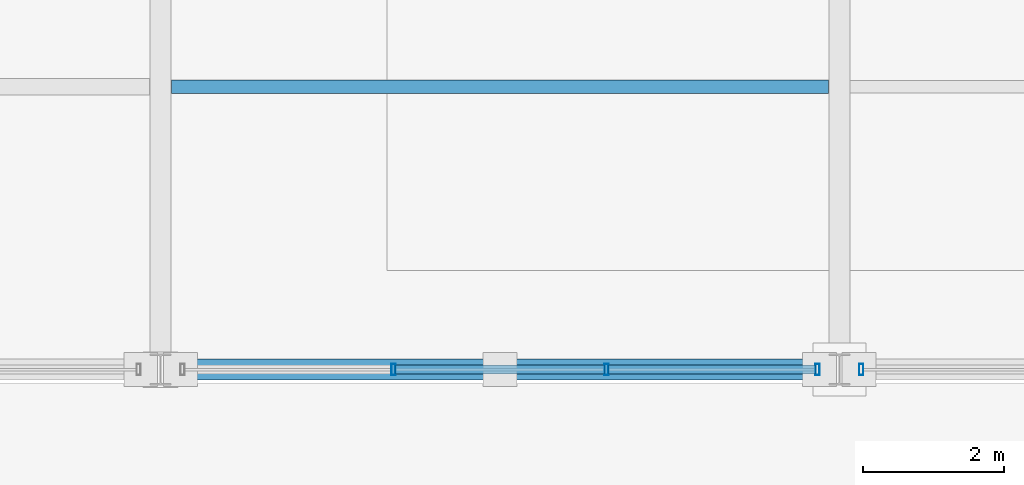
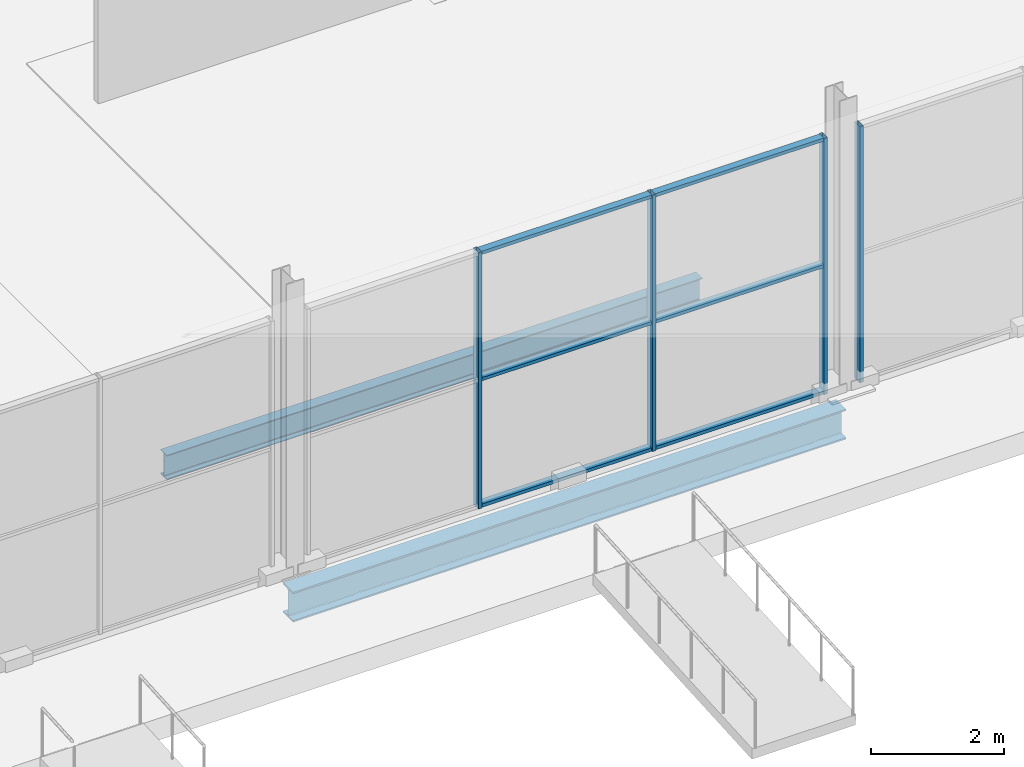
# One storey, part 35 of 196: 10 members, 2 beams, 2 elements without a shape of their own.
"""IFC4 building model written with IfcOpenShell, lengths in metres."""

from ifc_helpers import new_model, si_unit, direction, frame, origin, origin_2d, place, context, subcontext, project, spatial, hollow_rectangle, i_section, extrude, material, material_profile, profile_set, type_object, element, aggregate, save


model = new_model("IFC4")

# Units and contexts
model_context = context("Model", 3, precision=1e-05, world=origin(), true_north=direction((0.0, 1.0)))
body_context = subcontext(model_context, "Body", "Model", "MODEL_VIEW")
ifc_project = project(units=[si_unit("LENGTHUNIT", "METRE"), si_unit("AREAUNIT", "SQUARE_METRE"), si_unit("VOLUMEUNIT", "CUBIC_METRE"), si_unit("PLANEANGLEUNIT", "RADIAN"), si_unit("MASSUNIT", "GRAM", prefix="KILO")], contexts=[model_context])

# Site, building, storey
site_placement = place(None, origin())
site = spatial("IfcSite", under=ifc_project, at=site_placement, CompositionType="ELEMENT")
building_placement = place(site_placement, origin())
building = spatial("IfcBuilding", under=site, at=building_placement, Name="Merenkruunu Market Hall", CompositionType="ELEMENT")
storey_placement = place(building_placement, origin())
storey = spatial("IfcBuildingStorey", under=building, at=storey_placement, Name="L00", CompositionType="ELEMENT", Elevation=0.0)

# Curtain wall, members
ifc_material_1 = material(Name="Powder-coated aluminium", Category="aluminium")
curtain_wall_type_1 = type_object("IfcCurtainWallType", Name="Glazed Curtain Wall CW01", PredefinedType="USERDEFINED", material=ifc_material_1)
curtain_wall_1_placement = place(storey_placement, origin())
curtain_wall_1 = element("IfcCurtainWall", 1, at=curtain_wall_1_placement, inside=storey, type_object=curtain_wall_type_1, Name="CW-L00-CWM01-028", ObjectType="GLAZED_FACADE", PredefinedType="USERDEFINED")
ifc_material_profile_1 = material_profile(ifc_material_1, hollow_rectangle(XDim=0.06005859375, YDim=0.159912109375, WallThickness=0.00390625, at=origin_2d()), Name="ALU 60x160x4")
ifc_profile_set_1 = profile_set([ifc_material_profile_1], Name="Powder-coated aluminium")
member_type_1 = type_object("IfcMemberType", Name="Curtain Wall Mullion CWM01", PredefinedType="MULLION", material=ifc_profile_set_1)
member_1_placement = place(storey_placement, frame((38.090087890625, 15.60009765625, 0.0), z_axis=(0.0, 0.0, 1.0), x_axis=(-1.0, 0.0, 0.0)))
member_1 = element("IfcMember", 2, at=member_1_placement, type_object=member_type_1, Name="CW01 mullion 1", PredefinedType="MULLION", context=body_context, shape_type="SweptSolid", body=[
    extrude(hollow_rectangle(XDim=0.06005859375, YDim=0.159912109375, WallThickness=0.00390625, at=origin_2d()), origin(), (0.0, 0.0, 1.0), 4.699951171875),
])
member_2_placement = place(storey_placement, frame((35.106689453125, 15.60009765625, 0.0), z_axis=(0.0, 0.0, 1.0), x_axis=(-1.0, 0.0, 0.0)))
member_2 = element("IfcMember", 3, at=member_2_placement, type_object=member_type_1, Name="CW01 mullion 2", PredefinedType="MULLION", context=body_context, shape_type="SweptSolid", body=[
    extrude(hollow_rectangle(XDim=0.06005859375, YDim=0.159912109375, WallThickness=0.00390625, at=origin_2d()), origin(), (0.0, 0.0, 1.0), 4.699951171875),
])
member_3_placement = place(storey_placement, frame((32.09326171875, 15.60009765625, 0.0), z_axis=(0.0, 0.0, 1.0), x_axis=(-1.0, 0.0, 0.0)))
member_3 = element("IfcMember", 4, at=member_3_placement, type_object=member_type_1, Name="CW01 mullion 3", PredefinedType="MULLION", context=body_context, shape_type="SweptSolid", body=[
    extrude(hollow_rectangle(XDim=0.06005859375, YDim=0.159912109375, WallThickness=0.00390625, at=origin_2d()), origin(), (0.0, 0.0, 1.0), 4.699951171875),
])

# Curtain wall, member
curtain_wall_type_2 = type_object("IfcCurtainWallType", Name="Glazed Curtain Wall CW06", PredefinedType="USERDEFINED", material=ifc_material_1)
curtain_wall_2_placement = place(storey_placement, origin())
curtain_wall_2 = element("IfcCurtainWall", 5, at=curtain_wall_2_placement, inside=storey, type_object=curtain_wall_type_2, Name="CW-L00-CWM01-031", ObjectType="GLAZED_FACADE", PredefinedType="USERDEFINED")
member_4_placement = place(storey_placement, frame((38.7099609375, 15.60009765625, 0.0), z_axis=(0.0, 0.0, 1.0), x_axis=(-1.0, 0.0, 0.0)))
member_4 = element("IfcMember", 6, at=member_4_placement, type_object=member_type_1, Name="CW06 mullion 3", PredefinedType="MULLION", context=body_context, shape_type="SweptSolid", body=[
    extrude(hollow_rectangle(XDim=0.06005859375, YDim=0.159912109375, WallThickness=0.00390625, at=origin_2d()), origin(), (0.0, 0.0, 1.0), 4.699951171875),
])
aggregate(curtain_wall_2, [member_4])

# Member
ifc_material_profile_2 = material_profile(ifc_material_1, hollow_rectangle(XDim=0.06005859375, YDim=0.125, WallThickness=0.00390625, at=origin_2d()), Name="ALU 60x125x4")
ifc_profile_set_2 = profile_set([ifc_material_profile_2], Name="Powder-coated aluminium")
member_type_2 = type_object("IfcMemberType", Name="Curtain Wall Transom CWT01", PredefinedType="USERDEFINED", material=ifc_profile_set_2)
member_5_placement = place(storey_placement, frame((38.06005859375, 15.60009765625, 0.030029296875), z_axis=(-1.0, 0.0, 0.0), x_axis=(0.0, 0.0, 1.0)))
member_5 = element("IfcMember", 7, at=member_5_placement, type_object=member_type_2, Name="CW01 transom 1.1", ObjectType="TRANSOM", PredefinedType="USERDEFINED", context=body_context, shape_type="SweptSolid", body=[
    extrude(hollow_rectangle(XDim=0.06005859375, YDim=0.125, WallThickness=0.00390625, at=origin_2d()), origin(), (0.0, 0.0, 1.0), 2.92333984375),
])

member_6_placement = place(storey_placement, frame((38.06005859375, 15.60009765625, 2.35009765625), z_axis=(-1.0, 0.0, 0.0), x_axis=(0.0, 0.0, 1.0)))
member_6 = element("IfcMember", 8, at=member_6_placement, type_object=member_type_2, Name="CW01 transom 1.2", ObjectType="TRANSOM", PredefinedType="USERDEFINED", context=body_context, shape_type="SweptSolid", body=[
    extrude(hollow_rectangle(XDim=0.06005859375, YDim=0.125, WallThickness=0.00390625, at=origin_2d()), origin(), (0.0, 0.0, 1.0), 2.92333984375),
])

member_7_placement = place(storey_placement, frame((38.06005859375, 15.60009765625, 4.669921875), z_axis=(-1.0, 0.0, 0.0), x_axis=(0.0, 0.0, 1.0)))
member_7 = element("IfcMember", 9, at=member_7_placement, type_object=member_type_2, Name="CW01 transom 1.3", ObjectType="TRANSOM", PredefinedType="USERDEFINED", context=body_context, shape_type="SweptSolid", body=[
    extrude(hollow_rectangle(XDim=0.06005859375, YDim=0.125, WallThickness=0.00390625, at=origin_2d()), origin(), (0.0, 0.0, 1.0), 2.92333984375),
])

member_8_placement = place(storey_placement, frame((35.07666015625, 15.60009765625, 0.030029296875), z_axis=(-1.0, 0.0, 0.0), x_axis=(0.0, 0.0, 1.0)))
member_8 = element("IfcMember", 10, at=member_8_placement, type_object=member_type_2, Name="CW01 transom 2.1", ObjectType="TRANSOM", PredefinedType="USERDEFINED", context=body_context, shape_type="SweptSolid", body=[
    extrude(hollow_rectangle(XDim=0.06005859375, YDim=0.125, WallThickness=0.00390625, at=origin_2d()), origin(), (0.0, 0.0, 1.0), 2.953369140625),
])

member_9_placement = place(storey_placement, frame((35.07666015625, 15.60009765625, 2.35009765625), z_axis=(-1.0, 0.0, 0.0), x_axis=(0.0, 0.0, 1.0)))
member_9 = element("IfcMember", 11, at=member_9_placement, type_object=member_type_2, Name="CW01 transom 2.2", ObjectType="TRANSOM", PredefinedType="USERDEFINED", context=body_context, shape_type="SweptSolid", body=[
    extrude(hollow_rectangle(XDim=0.06005859375, YDim=0.125, WallThickness=0.00390625, at=origin_2d()), origin(), (0.0, 0.0, 1.0), 2.953369140625),
])

member_10_placement = place(storey_placement, frame((35.07666015625, 15.60009765625, 4.669921875), z_axis=(-1.0, 0.0, 0.0), x_axis=(0.0, 0.0, 1.0)))
member_10 = element("IfcMember", 12, at=member_10_placement, type_object=member_type_2, Name="CW01 transom 2.3", ObjectType="TRANSOM", PredefinedType="USERDEFINED", context=body_context, shape_type="SweptSolid", body=[
    extrude(hollow_rectangle(XDim=0.06005859375, YDim=0.125, WallThickness=0.00390625, at=origin_2d()), origin(), (0.0, 0.0, 1.0), 2.953369140625),
])

aggregate(curtain_wall_1, [member_1, member_2, member_3, member_5, member_6, member_7, member_8, member_9, member_10])

# Beams
ifc_material_2 = material(Name="Steel S355J2", Category="steel")
ifc_material_profile_3 = material_profile(ifc_material_2, i_section(OverallWidth=0.300048828125, OverallDepth=0.550048828125, WebThickness=0.014892578125, FlangeThickness=0.029052734375, FilletRadius=0.027099609375, at=origin_2d()), Name="HEB 550")
ifc_profile_set_3 = profile_set([ifc_material_profile_3], Name="Steel S355J2")
beam_type_1 = type_object("IfcBeamType", Name="Primary Floor Girder B02", PredefinedType="BEAM", material=ifc_profile_set_3)
beam_1_placement = place(storey_placement, frame((28.800048828125, 15.60009765625, -0.614990234375), z_axis=(1.0, 0.0, 0.0), x_axis=(0.0, 1.0, 0.0)))
element("IfcBeam", 13, at=beam_1_placement, inside=storey, type_object=beam_type_1, Name="BM-L00-B02-0012", PredefinedType="BEAM", context=body_context, shape_type="SweptSolid", body=[
    extrude(i_section(OverallWidth=0.300048828125, OverallDepth=0.550048828125, WebThickness=0.014892578125, FlangeThickness=0.029052734375, FilletRadius=0.027099609375, at=origin_2d()), origin(), (0.0, 0.0, 1.0), 9.599853515625),
])
ifc_material_profile_4 = material_profile(ifc_material_2, i_section(OverallWidth=0.18994140625, OverallDepth=0.449951171875, WebThickness=0.009521484375, FlangeThickness=0.0146484375, FilletRadius=0.02099609375, at=origin_2d()), Name="IPE 450")
ifc_profile_set_4 = profile_set([ifc_material_profile_4], Name="Steel S355J2")
beam_type_2 = type_object("IfcBeamType", Name="Secondary Floor Joist J01", PredefinedType="JOIST", material=ifc_profile_set_4)
beam_2_placement = place(storey_placement, frame((28.952880859375, 19.60009765625, -0.56494140625), z_axis=(1.0, 0.0, 0.0), x_axis=(0.0, 1.0, 0.0)))
element("IfcBeam", 14, at=beam_2_placement, inside=storey, type_object=beam_type_2, Name="BM-L00-J01-0302", PredefinedType="JOIST", context=body_context, shape_type="SweptSolid", body=[
    extrude(i_section(OverallWidth=0.18994140625, OverallDepth=0.449951171875, WebThickness=0.009521484375, FlangeThickness=0.0146484375, FilletRadius=0.02099609375, at=origin_2d()), origin(), (0.0, 0.0, 1.0), 9.294189453125),
])

save(model, "model.ifc")
